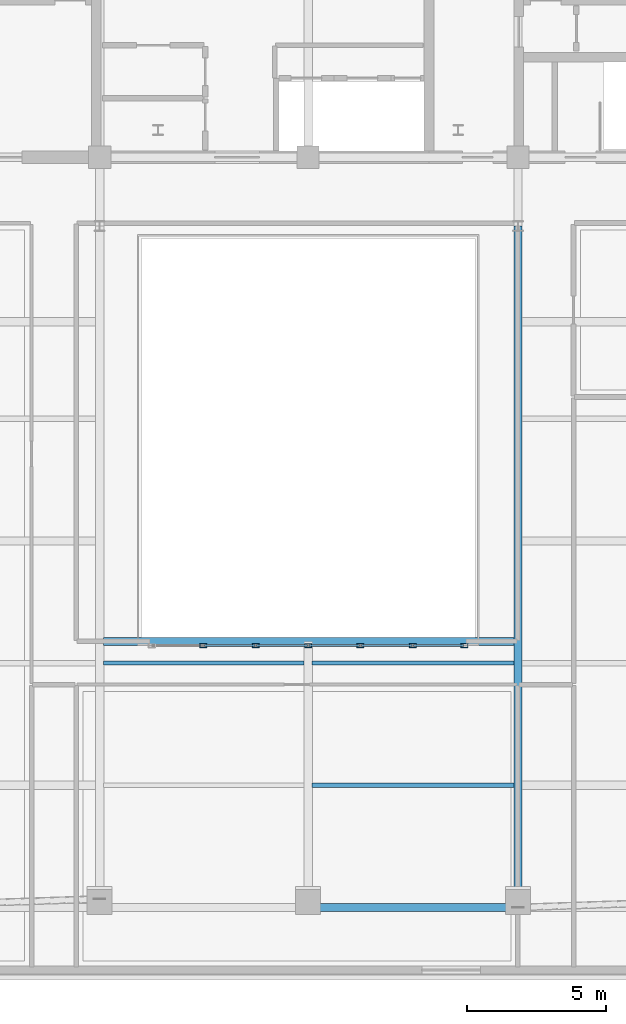
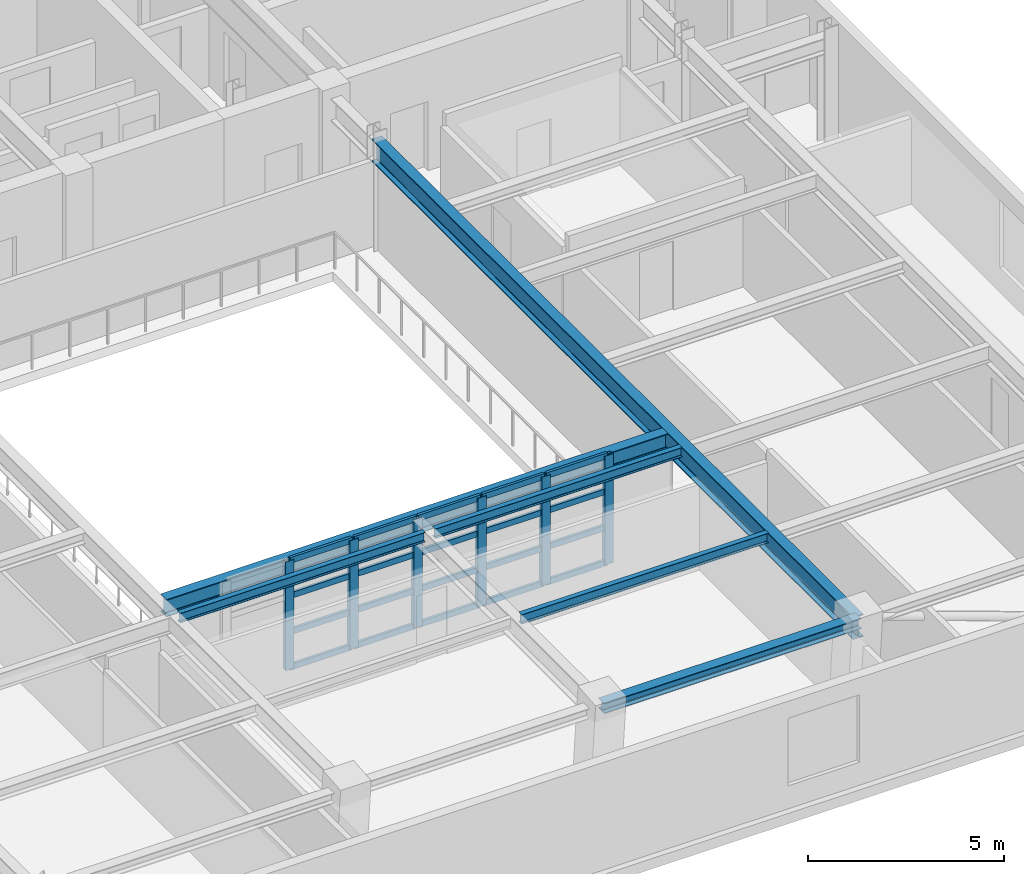
# One storey, part 3 of 11: 26 members, 6 beams, 1 element without a shape of its own.
"""IFC4 building model written with IfcOpenShell, lengths in metres."""

from ifc_helpers import new_model, si_unit, direction, frame, origin, origin_2d, place, context, subcontext, project, spatial, hollow_rectangle, i_section, extrude, material, layer, layer_set, material_profile, profile_set, type_object, element, aggregate, save


model = new_model("IFC4")

# Units and contexts
model_context = context("Model", 3, precision=1e-05, world=origin(), true_north=direction((0.0, 1.0)))
body_context = subcontext(model_context, "Body", "Model", "MODEL_VIEW")
ifc_project = project(units=[si_unit("LENGTHUNIT", "METRE"), si_unit("AREAUNIT", "SQUARE_METRE"), si_unit("VOLUMEUNIT", "CUBIC_METRE"), si_unit("PLANEANGLEUNIT", "RADIAN"), si_unit("MASSUNIT", "GRAM", prefix="KILO")], contexts=[model_context])

# Site, building, storey
site_placement = place(None, origin())
site = spatial("IfcSite", under=ifc_project, at=site_placement, CompositionType="ELEMENT")
building_placement = place(site_placement, origin())
building = spatial("IfcBuilding", under=site, at=building_placement, Name="Zarnavel Station Tower", CompositionType="ELEMENT")
storey_placement = place(building_placement, frame((0.0, 0.0, 276.89990234375)))
storey = spatial("IfcBuildingStorey", under=building, at=storey_placement, Name="L75", CompositionType="ELEMENT", Elevation=276.89990234375)

# Curtain wall, members
ifc_material_1 = material(Name="Aluminium Dark Anodised and Solar-Control Glass", Category="aluminium")
ifc_layer = layer(ifc_material_1, 0.179931640625)
ifc_layer_set = layer_set([ifc_layer], Name="CWS6")
curtain_wall_type = type_object("IfcCurtainWallType", Name="CWS6", PredefinedType="NOTDEFINED", material=ifc_layer_set)
curtain_wall_placement = place(storey_placement, origin())
curtain_wall = element("IfcCurtainWall", 1, at=curtain_wall_placement, inside=storey, type_object=curtain_wall_type, Name="L75 Curtain Wall CWS6-L75-AS", PredefinedType="NOTDEFINED")
ifc_material_2 = material(Name="Steel S355J2 (Black Fluoropolymer Coated)", Category="steel")
ifc_material_profile_1 = material_profile(ifc_material_2, hollow_rectangle(XDim=0.14990234375, YDim=0.25, WallThickness=0.010009765625, at=origin_2d()), Name="RHS250x150x10")
ifc_profile_set_1 = profile_set([ifc_material_profile_1], Name="Steel S355J2 (Black Fluoropolymer Coated)")
member_type_1 = type_object("IfcMemberType", Name="CWS6_MUL", PredefinedType="MULLION", material=ifc_profile_set_1)
member_1_placement = place(storey_placement, frame((25.033447265625, 10.25, 0.0), z_axis=(0.0, 0.0, 1.0), x_axis=(0.0, 1.0, 0.0)))
member_1 = element("IfcMember", 2, at=member_1_placement, type_object=member_type_1, Name="CW6 mullion 2", PredefinedType="MULLION", context=body_context, shape_type="SweptSolid", body=[
    extrude(hollow_rectangle(XDim=0.14990234375, YDim=0.25, WallThickness=0.010009765625, at=origin_2d()), origin(), (0.0, 0.0, 1.0), 3.380126953125),
])
member_2_placement = place(storey_placement, frame((26.916748046875, 10.25, 0.0), z_axis=(0.0, 0.0, 1.0), x_axis=(0.0, 1.0, 0.0)))
member_2 = element("IfcMember", 3, at=member_2_placement, type_object=member_type_1, Name="CW6 mullion 3", PredefinedType="MULLION", context=body_context, shape_type="SweptSolid", body=[
    extrude(hollow_rectangle(XDim=0.14990234375, YDim=0.25, WallThickness=0.010009765625, at=origin_2d()), origin(), (0.0, 0.0, 1.0), 3.380126953125),
])
member_3_placement = place(storey_placement, frame((28.800048828125, 10.25, 0.0), z_axis=(0.0, 0.0, 1.0), x_axis=(0.0, 1.0, 0.0)))
member_3 = element("IfcMember", 4, at=member_3_placement, type_object=member_type_1, Name="CW6 mullion 4", PredefinedType="MULLION", context=body_context, shape_type="SweptSolid", body=[
    extrude(hollow_rectangle(XDim=0.14990234375, YDim=0.25, WallThickness=0.010009765625, at=origin_2d()), origin(), (0.0, 0.0, 1.0), 3.380126953125),
])
member_4_placement = place(storey_placement, frame((30.683349609375, 10.25, 0.0), z_axis=(0.0, 0.0, 1.0), x_axis=(0.0, 1.0, 0.0)))
member_4 = element("IfcMember", 5, at=member_4_placement, type_object=member_type_1, Name="CW6 mullion 5", PredefinedType="MULLION", context=body_context, shape_type="SweptSolid", body=[
    extrude(hollow_rectangle(XDim=0.14990234375, YDim=0.25, WallThickness=0.010009765625, at=origin_2d()), origin(), (0.0, 0.0, 1.0), 3.380126953125),
])
member_5_placement = place(storey_placement, frame((32.566650390625, 10.25, 0.0), z_axis=(0.0, 0.0, 1.0), x_axis=(0.0, 1.0, 0.0)))
member_5 = element("IfcMember", 6, at=member_5_placement, type_object=member_type_1, Name="CW6 mullion 6", PredefinedType="MULLION", context=body_context, shape_type="SweptSolid", body=[
    extrude(hollow_rectangle(XDim=0.14990234375, YDim=0.25, WallThickness=0.010009765625, at=origin_2d()), origin(), (0.0, 0.0, 1.0), 3.380126953125),
])
member_6_placement = place(storey_placement, frame((34.419921875, 10.25, 0.0), z_axis=(0.0, 0.0, 1.0), x_axis=(0.0, 1.0, 0.0)))
member_6 = element("IfcMember", 7, at=member_6_placement, type_object=member_type_1, Name="CW6 mullion 7", PredefinedType="MULLION", context=body_context, shape_type="SweptSolid", body=[
    extrude(hollow_rectangle(XDim=0.14990234375, YDim=0.25, WallThickness=0.010009765625, at=origin_2d()), origin(), (0.0, 0.0, 1.0), 3.380126953125),
])
ifc_material_3 = material(Name="Steel S355J2 (Black Fluoropolymer Coated)", Category="steel")
ifc_material_profile_2 = material_profile(ifc_material_3, hollow_rectangle(XDim=0.080078125, YDim=0.179931640625, WallThickness=0.00634765625, at=origin_2d()), Name="RHS180x80x6.3")
ifc_profile_set_2 = profile_set([ifc_material_profile_2], Name="Steel S355J2 (Black Fluoropolymer Coated)")
member_type_2 = type_object("IfcMemberType", Name="CWS6_TRN", PredefinedType="USERDEFINED", material=ifc_profile_set_2)
member_7_placement = place(storey_placement, frame((25.063232421875, 10.25, 0.030029296875), z_axis=(1.0, 0.0, 0.0), x_axis=(0.0, 1.0, 0.0)))
member_7 = element("IfcMember", 8, at=member_7_placement, type_object=member_type_2, Name="CW6 transom 2.1", ObjectType="TRANSOM", PredefinedType="USERDEFINED", context=body_context, shape_type="SweptSolid", body=[
    extrude(hollow_rectangle(XDim=0.080078125, YDim=0.179931640625, WallThickness=0.00634765625, at=origin_2d()), origin(), (0.0, 0.0, 1.0), 1.823486328125),
])
member_8_placement = place(storey_placement, frame((25.063232421875, 10.25, 1.126708984375), z_axis=(1.0, 0.0, 0.0), x_axis=(0.0, 1.0, 0.0)))
member_8 = element("IfcMember", 9, at=member_8_placement, type_object=member_type_2, Name="CW6 transom 2.2", ObjectType="TRANSOM", PredefinedType="USERDEFINED", context=body_context, shape_type="SweptSolid", body=[
    extrude(hollow_rectangle(XDim=0.080078125, YDim=0.179931640625, WallThickness=0.00634765625, at=origin_2d()), origin(), (0.0, 0.0, 1.0), 1.823486328125),
])
member_9_placement = place(storey_placement, frame((25.063232421875, 10.25, 2.25341796875), z_axis=(1.0, 0.0, 0.0), x_axis=(0.0, 1.0, 0.0)))
member_9 = element("IfcMember", 10, at=member_9_placement, type_object=member_type_2, Name="CW6 transom 2.3", ObjectType="TRANSOM", PredefinedType="USERDEFINED", context=body_context, shape_type="SweptSolid", body=[
    extrude(hollow_rectangle(XDim=0.080078125, YDim=0.179931640625, WallThickness=0.00634765625, at=origin_2d()), origin(), (0.0, 0.0, 1.0), 1.823486328125),
])
member_10_placement = place(storey_placement, frame((25.063232421875, 10.25, 3.35009765625), z_axis=(1.0, 0.0, 0.0), x_axis=(0.0, 1.0, 0.0)))
member_10 = element("IfcMember", 11, at=member_10_placement, type_object=member_type_2, Name="CW6 transom 2.4", ObjectType="TRANSOM", PredefinedType="USERDEFINED", context=body_context, shape_type="SweptSolid", body=[
    extrude(hollow_rectangle(XDim=0.080078125, YDim=0.179931640625, WallThickness=0.00634765625, at=origin_2d()), origin(), (0.0, 0.0, 1.0), 1.823486328125),
])
member_11_placement = place(storey_placement, frame((26.94677734375, 10.25, 0.030029296875), z_axis=(1.0, 0.0, 0.0), x_axis=(0.0, 1.0, 0.0)))
member_11 = element("IfcMember", 12, at=member_11_placement, type_object=member_type_2, Name="CW6 transom 3.1", ObjectType="TRANSOM", PredefinedType="USERDEFINED", context=body_context, shape_type="SweptSolid", body=[
    extrude(hollow_rectangle(XDim=0.080078125, YDim=0.179931640625, WallThickness=0.00634765625, at=origin_2d()), origin(), (0.0, 0.0, 1.0), 1.8232421875),
])
member_12_placement = place(storey_placement, frame((26.94677734375, 10.25, 1.126708984375), z_axis=(1.0, 0.0, 0.0), x_axis=(0.0, 1.0, 0.0)))
member_12 = element("IfcMember", 13, at=member_12_placement, type_object=member_type_2, Name="CW6 transom 3.2", ObjectType="TRANSOM", PredefinedType="USERDEFINED", context=body_context, shape_type="SweptSolid", body=[
    extrude(hollow_rectangle(XDim=0.080078125, YDim=0.179931640625, WallThickness=0.00634765625, at=origin_2d()), origin(), (0.0, 0.0, 1.0), 1.8232421875),
])
member_13_placement = place(storey_placement, frame((26.94677734375, 10.25, 2.25341796875), z_axis=(1.0, 0.0, 0.0), x_axis=(0.0, 1.0, 0.0)))
member_13 = element("IfcMember", 14, at=member_13_placement, type_object=member_type_2, Name="CW6 transom 3.3", ObjectType="TRANSOM", PredefinedType="USERDEFINED", context=body_context, shape_type="SweptSolid", body=[
    extrude(hollow_rectangle(XDim=0.080078125, YDim=0.179931640625, WallThickness=0.00634765625, at=origin_2d()), origin(), (0.0, 0.0, 1.0), 1.8232421875),
])
member_14_placement = place(storey_placement, frame((26.94677734375, 10.25, 3.35009765625), z_axis=(1.0, 0.0, 0.0), x_axis=(0.0, 1.0, 0.0)))
member_14 = element("IfcMember", 15, at=member_14_placement, type_object=member_type_2, Name="CW6 transom 3.4", ObjectType="TRANSOM", PredefinedType="USERDEFINED", context=body_context, shape_type="SweptSolid", body=[
    extrude(hollow_rectangle(XDim=0.080078125, YDim=0.179931640625, WallThickness=0.00634765625, at=origin_2d()), origin(), (0.0, 0.0, 1.0), 1.8232421875),
])
member_15_placement = place(storey_placement, frame((28.830078125, 10.25, 0.030029296875), z_axis=(1.0, 0.0, 0.0), x_axis=(0.0, 1.0, 0.0)))
member_15 = element("IfcMember", 16, at=member_15_placement, type_object=member_type_2, Name="CW6 transom 4.1", ObjectType="TRANSOM", PredefinedType="USERDEFINED", context=body_context, shape_type="SweptSolid", body=[
    extrude(hollow_rectangle(XDim=0.080078125, YDim=0.179931640625, WallThickness=0.00634765625, at=origin_2d()), origin(), (0.0, 0.0, 1.0), 1.8232421875),
])
member_16_placement = place(storey_placement, frame((28.830078125, 10.25, 1.126708984375), z_axis=(1.0, 0.0, 0.0), x_axis=(0.0, 1.0, 0.0)))
member_16 = element("IfcMember", 17, at=member_16_placement, type_object=member_type_2, Name="CW6 transom 4.2", ObjectType="TRANSOM", PredefinedType="USERDEFINED", context=body_context, shape_type="SweptSolid", body=[
    extrude(hollow_rectangle(XDim=0.080078125, YDim=0.179931640625, WallThickness=0.00634765625, at=origin_2d()), origin(), (0.0, 0.0, 1.0), 1.8232421875),
])
member_17_placement = place(storey_placement, frame((28.830078125, 10.25, 2.25341796875), z_axis=(1.0, 0.0, 0.0), x_axis=(0.0, 1.0, 0.0)))
member_17 = element("IfcMember", 18, at=member_17_placement, type_object=member_type_2, Name="CW6 transom 4.3", ObjectType="TRANSOM", PredefinedType="USERDEFINED", context=body_context, shape_type="SweptSolid", body=[
    extrude(hollow_rectangle(XDim=0.080078125, YDim=0.179931640625, WallThickness=0.00634765625, at=origin_2d()), origin(), (0.0, 0.0, 1.0), 1.8232421875),
])
member_18_placement = place(storey_placement, frame((28.830078125, 10.25, 3.35009765625), z_axis=(1.0, 0.0, 0.0), x_axis=(0.0, 1.0, 0.0)))
member_18 = element("IfcMember", 19, at=member_18_placement, type_object=member_type_2, Name="CW6 transom 4.4", ObjectType="TRANSOM", PredefinedType="USERDEFINED", context=body_context, shape_type="SweptSolid", body=[
    extrude(hollow_rectangle(XDim=0.080078125, YDim=0.179931640625, WallThickness=0.00634765625, at=origin_2d()), origin(), (0.0, 0.0, 1.0), 1.8232421875),
])
member_19_placement = place(storey_placement, frame((30.71337890625, 10.25, 0.030029296875), z_axis=(1.0, 0.0, 0.0), x_axis=(0.0, 1.0, 0.0)))
member_19 = element("IfcMember", 20, at=member_19_placement, type_object=member_type_2, Name="CW6 transom 5.1", ObjectType="TRANSOM", PredefinedType="USERDEFINED", context=body_context, shape_type="SweptSolid", body=[
    extrude(hollow_rectangle(XDim=0.080078125, YDim=0.179931640625, WallThickness=0.00634765625, at=origin_2d()), origin(), (0.0, 0.0, 1.0), 1.8232421875),
])
member_20_placement = place(storey_placement, frame((30.71337890625, 10.25, 1.126708984375), z_axis=(1.0, 0.0, 0.0), x_axis=(0.0, 1.0, 0.0)))
member_20 = element("IfcMember", 21, at=member_20_placement, type_object=member_type_2, Name="CW6 transom 5.2", ObjectType="TRANSOM", PredefinedType="USERDEFINED", context=body_context, shape_type="SweptSolid", body=[
    extrude(hollow_rectangle(XDim=0.080078125, YDim=0.179931640625, WallThickness=0.00634765625, at=origin_2d()), origin(), (0.0, 0.0, 1.0), 1.8232421875),
])
member_21_placement = place(storey_placement, frame((30.71337890625, 10.25, 2.25341796875), z_axis=(1.0, 0.0, 0.0), x_axis=(0.0, 1.0, 0.0)))
member_21 = element("IfcMember", 22, at=member_21_placement, type_object=member_type_2, Name="CW6 transom 5.3", ObjectType="TRANSOM", PredefinedType="USERDEFINED", context=body_context, shape_type="SweptSolid", body=[
    extrude(hollow_rectangle(XDim=0.080078125, YDim=0.179931640625, WallThickness=0.00634765625, at=origin_2d()), origin(), (0.0, 0.0, 1.0), 1.8232421875),
])
member_22_placement = place(storey_placement, frame((30.71337890625, 10.25, 3.35009765625), z_axis=(1.0, 0.0, 0.0), x_axis=(0.0, 1.0, 0.0)))
member_22 = element("IfcMember", 23, at=member_22_placement, type_object=member_type_2, Name="CW6 transom 5.4", ObjectType="TRANSOM", PredefinedType="USERDEFINED", context=body_context, shape_type="SweptSolid", body=[
    extrude(hollow_rectangle(XDim=0.080078125, YDim=0.179931640625, WallThickness=0.00634765625, at=origin_2d()), origin(), (0.0, 0.0, 1.0), 1.8232421875),
])
member_23_placement = place(storey_placement, frame((32.5966796875, 10.25, 0.030029296875), z_axis=(1.0, 0.0, 0.0), x_axis=(0.0, 1.0, 0.0)))
member_23 = element("IfcMember", 24, at=member_23_placement, type_object=member_type_2, Name="CW6 transom 6.1", ObjectType="TRANSOM", PredefinedType="USERDEFINED", context=body_context, shape_type="SweptSolid", body=[
    extrude(hollow_rectangle(XDim=0.080078125, YDim=0.179931640625, WallThickness=0.00634765625, at=origin_2d()), origin(), (0.0, 0.0, 1.0), 1.793212890625),
])
member_24_placement = place(storey_placement, frame((32.5966796875, 10.25, 1.126708984375), z_axis=(1.0, 0.0, 0.0), x_axis=(0.0, 1.0, 0.0)))
member_24 = element("IfcMember", 25, at=member_24_placement, type_object=member_type_2, Name="CW6 transom 6.2", ObjectType="TRANSOM", PredefinedType="USERDEFINED", context=body_context, shape_type="SweptSolid", body=[
    extrude(hollow_rectangle(XDim=0.080078125, YDim=0.179931640625, WallThickness=0.00634765625, at=origin_2d()), origin(), (0.0, 0.0, 1.0), 1.793212890625),
])
member_25_placement = place(storey_placement, frame((32.5966796875, 10.25, 2.25341796875), z_axis=(1.0, 0.0, 0.0), x_axis=(0.0, 1.0, 0.0)))
member_25 = element("IfcMember", 26, at=member_25_placement, type_object=member_type_2, Name="CW6 transom 6.3", ObjectType="TRANSOM", PredefinedType="USERDEFINED", context=body_context, shape_type="SweptSolid", body=[
    extrude(hollow_rectangle(XDim=0.080078125, YDim=0.179931640625, WallThickness=0.00634765625, at=origin_2d()), origin(), (0.0, 0.0, 1.0), 1.793212890625),
])
member_26_placement = place(storey_placement, frame((32.5966796875, 10.25, 3.35009765625), z_axis=(1.0, 0.0, 0.0), x_axis=(0.0, 1.0, 0.0)))
member_26 = element("IfcMember", 27, at=member_26_placement, type_object=member_type_2, Name="CW6 transom 6.4", ObjectType="TRANSOM", PredefinedType="USERDEFINED", context=body_context, shape_type="SweptSolid", body=[
    extrude(hollow_rectangle(XDim=0.080078125, YDim=0.179931640625, WallThickness=0.00634765625, at=origin_2d()), origin(), (0.0, 0.0, 1.0), 1.793212890625),
])
aggregate(curtain_wall, [member_1, member_2, member_3, member_4, member_5, member_6, member_7, member_8, member_9, member_10, member_11, member_12, member_13, member_14, member_15, member_16, member_17, member_18, member_19, member_20, member_21, member_22, member_23, member_24, member_25, member_26])

# Beams
ifc_material_4 = material(Name="Steel S355J2", Category="steel")
ifc_material_profile_3 = material_profile(ifc_material_4, i_section(OverallWidth=0.300048828125, OverallDepth=0.320068359375, WebThickness=0.011474609375, FlangeThickness=0.0205078125, FilletRadius=0.027099609375, at=origin_2d()), Name="HEB320")
ifc_profile_set_3 = profile_set([ifc_material_profile_3], Name="Steel S355J2")
beam_type_1 = type_object("IfcBeamType", Name="EB_HEB320", PredefinedType="SPANDREL", material=ifc_profile_set_3)
beam_1_placement = place(storey_placement, frame((28.800048828125, 0.8291015625, 3.22021484375), z_axis=(1.0, 0.0, 0.0), x_axis=(0.0, 1.0, 0.0)))
element("IfcBeam", 28, at=beam_1_placement, inside=storey, type_object=beam_type_1, Name="L75 South Raked Spandrel 3", PredefinedType="SPANDREL", context=body_context, shape_type="SweptSolid", body=[
    extrude(i_section(OverallWidth=0.300048828125, OverallDepth=0.320068359375, WebThickness=0.011474609375, FlangeThickness=0.0205078125, FilletRadius=0.027099609375, at=origin_2d()), origin(), (0.0, 0.0, 1.0), 7.550048828125),
])
ifc_material_5 = material(Name="Steel S355J2", Category="steel")
ifc_material_profile_4 = material_profile(ifc_material_5, i_section(OverallWidth=0.300048828125, OverallDepth=0.5400390625, WebThickness=0.012451171875, FlangeThickness=0.02392578125, FilletRadius=0.027099609375, at=origin_2d()), Name="HEA550")
ifc_profile_set_4 = profile_set([ifc_material_profile_4], Name="Steel S355J2")
beam_type_2 = type_object("IfcBeamType", Name="FB_HEA550", PredefinedType="BEAM", material=ifc_profile_set_4)
beam_2_placement = place(storey_placement, frame((21.445068359375, 10.39990234375, 3.110107421875), z_axis=(1.0, 0.0, 0.0), x_axis=(0.0, 1.0, 0.0)))
element("IfcBeam", 29, at=beam_2_placement, inside=storey, type_object=beam_type_2, Name="L75 Atrium South Edge Girder", PredefinedType="BEAM", context=body_context, shape_type="SweptSolid", body=[
    extrude(i_section(OverallWidth=0.300048828125, OverallDepth=0.5400390625, WebThickness=0.012451171875, FlangeThickness=0.02392578125, FilletRadius=0.027099609375, at=origin_2d()), origin(), (0.0, 0.0, 1.0), 14.760009765625),
])
ifc_material_6 = material(Name="Steel S355J2", Category="steel")
ifc_material_profile_5 = material_profile(ifc_material_6, i_section(OverallWidth=0.300048828125, OverallDepth=0.699951171875, WebThickness=0.01708984375, FlangeThickness=0.031982421875, FilletRadius=0.027099609375, at=origin_2d()), Name="HEB700")
ifc_profile_set_5 = profile_set([ifc_material_profile_5], Name="Steel S355J2")
beam_type_3 = type_object("IfcBeamType", Name="FG_HEB700", PredefinedType="USERDEFINED", material=ifc_profile_set_5)
beam_3_placement = place(storey_placement, frame((36.35009765625, 0.8291015625, 3.030029296875), z_axis=(0.0, 1.0, 0.0), x_axis=(-1.0, 0.0, 0.0)))
element("IfcBeam", 30, at=beam_3_placement, inside=storey, type_object=beam_type_3, Name="L75 South-Zone NS Girder 4", ObjectType="GIRDER", PredefinedType="USERDEFINED", context=body_context, shape_type="SweptSolid", body=[
    extrude(i_section(OverallWidth=0.300048828125, OverallDepth=0.699951171875, WebThickness=0.01708984375, FlangeThickness=0.031982421875, FilletRadius=0.027099609375, at=origin_2d()), origin(), (0.0, 0.0, 1.0), 24.52099609375),
])
ifc_material_7 = material(Name="Steel S355J2", Category="steel")
ifc_material_profile_6 = material_profile(ifc_material_7, i_section(OverallWidth=0.14990234375, OverallDepth=0.300048828125, WebThickness=0.007080078125, FlangeThickness=0.0107421875, FilletRadius=0.014892578125, at=origin_2d()), Name="IPE300")
ifc_profile_set_6 = profile_set([ifc_material_profile_6], Name="Steel S355J2")
beam_type_4 = type_object("IfcBeamType", Name="FJ_IPE300", PredefinedType="JOIST", material=ifc_profile_set_6)
beam_4_placement = place(storey_placement, frame((28.945068359375, 5.22412109375, 3.22998046875), z_axis=(1.0, 0.0, 0.0), x_axis=(0.0, 1.0, 0.0)))
element("IfcBeam", 31, at=beam_4_placement, inside=storey, type_object=beam_type_4, Name="L75 Mid-East Joist 1", PredefinedType="JOIST", context=body_context, shape_type="SweptSolid", body=[
    extrude(i_section(OverallWidth=0.14990234375, OverallDepth=0.300048828125, WebThickness=0.007080078125, FlangeThickness=0.0107421875, FilletRadius=0.014892578125, at=origin_2d()), origin(), (0.0, 0.0, 1.0), 7.260009765625),
])
beam_5_placement = place(storey_placement, frame((21.445068359375, 9.619384765625, 3.22998046875), z_axis=(1.0, 0.0, 0.0), x_axis=(0.0, 1.0, 0.0)))
element("IfcBeam", 32, at=beam_5_placement, inside=storey, type_object=beam_type_4, Name="L75 Mid-West Joist 2", PredefinedType="JOIST", context=body_context, shape_type="SweptSolid", body=[
    extrude(i_section(OverallWidth=0.14990234375, OverallDepth=0.300048828125, WebThickness=0.007080078125, FlangeThickness=0.0107421875, FilletRadius=0.014892578125, at=origin_2d()), origin(), (0.0, 0.0, 1.0), 7.2099609375),
])
beam_6_placement = place(storey_placement, frame((28.945068359375, 9.619384765625, 3.22998046875), z_axis=(1.0, 0.0, 0.0), x_axis=(0.0, 1.0, 0.0)))
element("IfcBeam", 33, at=beam_6_placement, inside=storey, type_object=beam_type_4, Name="L75 Mid-East Joist 2", PredefinedType="JOIST", context=body_context, shape_type="SweptSolid", body=[
    extrude(i_section(OverallWidth=0.14990234375, OverallDepth=0.300048828125, WebThickness=0.007080078125, FlangeThickness=0.0107421875, FilletRadius=0.014892578125, at=origin_2d()), origin(), (0.0, 0.0, 1.0), 7.260009765625),
])

save(model, "model.ifc")
